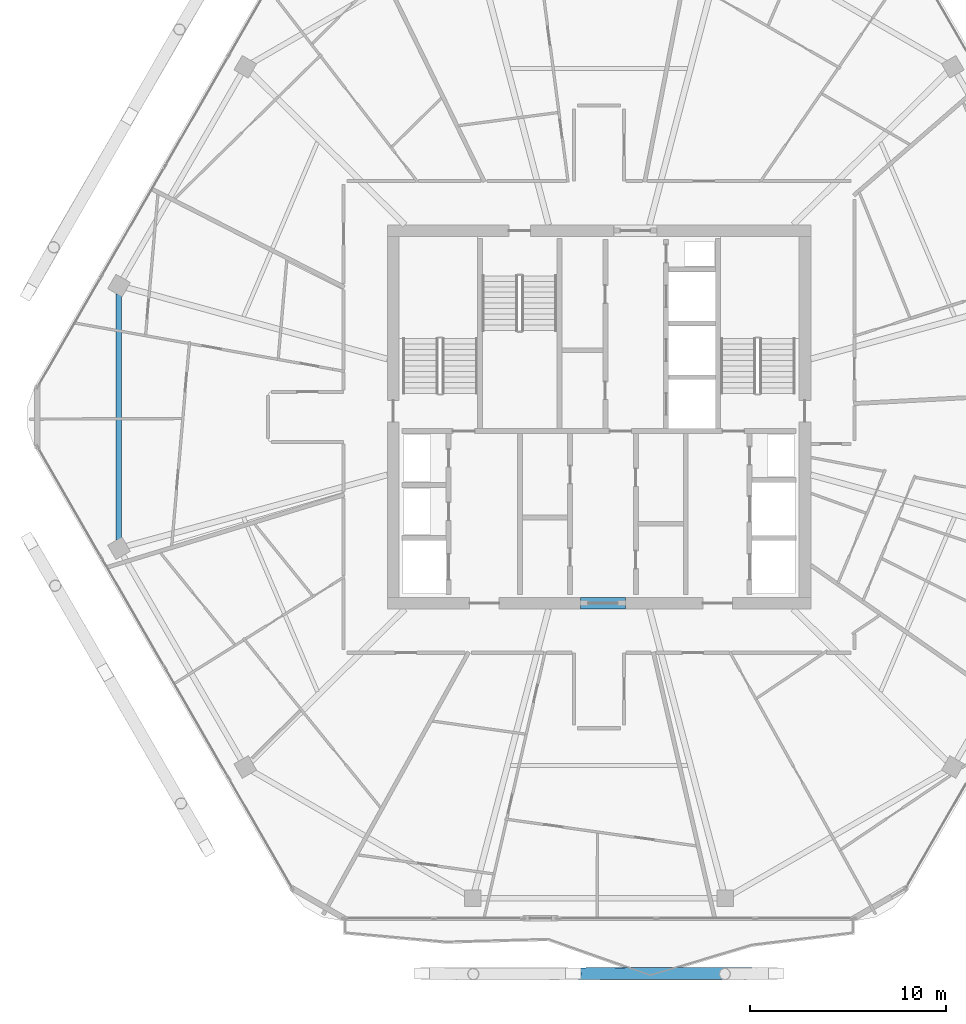
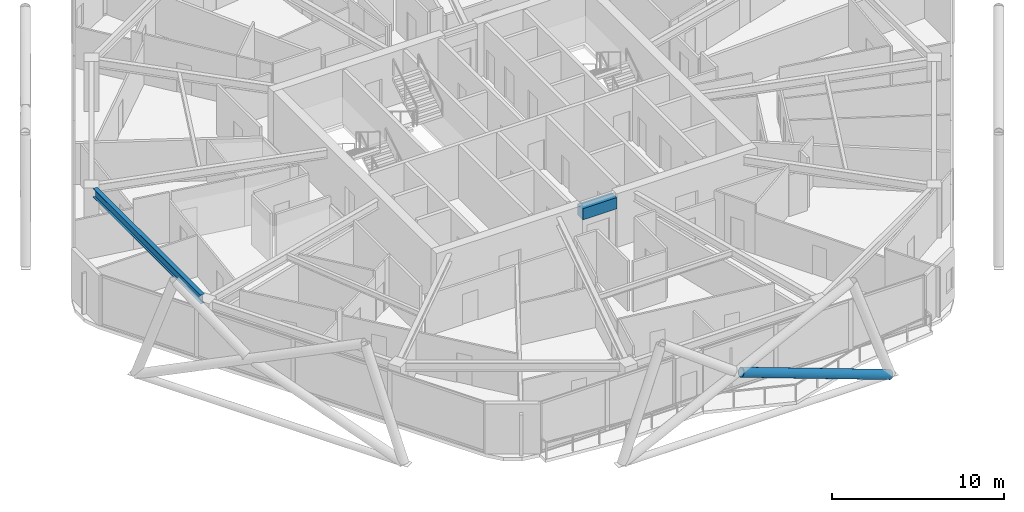
# One storey, part 7 of 27: 2 beams, 1 member.
"""IFC4 building model written with IfcOpenShell, lengths in metres."""

from ifc_helpers import new_model, si_unit, direction, frame, origin, origin_2d, place, context, subcontext, project, spatial, rectangle, hollow_circle, i_section, extrude, material, material_profile, profile_set, type_object, element, save


model = new_model("IFC4")

# Units and contexts
model_context = context("Model", 3, precision=1e-05, world=origin(), true_north=direction((0.0, 1.0)))
body_context = subcontext(model_context, "Body", "Model", "MODEL_VIEW")
ifc_project = project(units=[si_unit("LENGTHUNIT", "METRE"), si_unit("AREAUNIT", "SQUARE_METRE"), si_unit("VOLUMEUNIT", "CUBIC_METRE"), si_unit("PLANEANGLEUNIT", "RADIAN"), si_unit("MASSUNIT", "GRAM", prefix="KILO")], contexts=[model_context])

# Site, building, storey
site_placement = place(None, origin())
site = spatial("IfcSite", under=ifc_project, at=site_placement, CompositionType="ELEMENT")
building_placement = place(site_placement, origin())
building = spatial("IfcBuilding", under=site, at=building_placement, Name="Zuhravey Tower", CompositionType="ELEMENT")
storey_placement = place(building_placement, frame((0.0, 0.0, 276.800048828125)))
storey = spatial("IfcBuildingStorey", under=building, at=storey_placement, Name="L70", CompositionType="ELEMENT", Elevation=276.800048828125)

# Beam
ifc_material_1 = material(Name="Concrete C50/60", Category="concrete")
ifc_material_profile_1 = material_profile(ifc_material_1, rectangle(XDim=0.60009765625, YDim=0.800048828125, at=origin_2d()), Name="RC-600x800")
ifc_profile_set_1 = profile_set([ifc_material_profile_1], Name="Concrete C50/60")
beam_type_1 = type_object("IfcBeamType", Name="Core Coupling Beam RC600x800", PredefinedType="LINTEL", material=ifc_profile_set_1)
beam_1_placement = place(storey_placement, frame((35.052001953125, 22.5, 3.14990234375), z_axis=(1.0, 0.0, 0.0), x_axis=(0.0, 1.0, 0.0)))
element("IfcBeam", 1, at=beam_1_placement, inside=storey, type_object=beam_type_1, Name="L70 CB2 BM-L70-CB-S", PredefinedType="LINTEL", context=body_context, shape_type="SweptSolid", body=[
    extrude(rectangle(XDim=0.60009765625, YDim=0.800048828125, at=origin_2d()), origin(), (0.0, 0.0, 1.0), 2.2958984375),
])

# Member
ifc_material_2 = material(Name="Steel SM355", Category="steel")
ifc_material_profile_2 = material_profile(ifc_material_2, hollow_circle(Radius=0.3046875, WallThickness=0.028076171875, at=origin_2d()), Name="CHS-609.6x28")
ifc_profile_set_2 = profile_set([ifc_material_profile_2], Name="Steel SM355")
member_type = type_object("IfcMemberType", Name="Exoskeleton Zone 3 Diagrid CHS610x28", PredefinedType="BRACE", material=ifc_profile_set_2)
member_placement = place(storey_placement, frame((44.99072265625, 3.616455078125, -0.449951171875), z_axis=(-0.938619036847, -0.001371581642, 0.344952782903), x_axis=(0.001461274621, -0.999998932338, 0.0)))
element("IfcMember", 2, at=member_placement, inside=storey, type_object=member_type, Name="L70 Face 5 Split Diagrid Brace 3A", PredefinedType="BRACE", context=body_context, shape_type="SweptSolid", body=[
    extrude(hollow_circle(Radius=0.3046875, WallThickness=0.028076171875, at=origin_2d()), origin(), (0.0, 0.0, 1.0), 10.679931640625),
])

# Beam
ifc_material_profile_3 = material_profile(ifc_material_2, i_section(OverallWidth=0.280029296875, OverallDepth=0.6201171875, WebThickness=0.011962890625, FlangeThickness=0.02001953125, at=origin_2d()), Name="H-620x280x12x20")
ifc_profile_set_3 = profile_set([ifc_material_profile_3], Name="Steel SM355")
beam_type_2 = type_object("IfcBeamType", Name="Perimeter Ring Beam H620x280", PredefinedType="BEAM", material=ifc_profile_set_3)
beam_2_placement = place(storey_placement, frame((11.515380859375, 38.27099609375, 3.239990234375), z_axis=(0.0, -1.0, 0.0), x_axis=(1.0, 0.0, 0.0)))
element("IfcBeam", 3, at=beam_2_placement, inside=storey, type_object=beam_type_2, Name="L70 PB3 BM-L70-PB-06", PredefinedType="BEAM", context=body_context, shape_type="SweptSolid", body=[
    extrude(i_section(OverallWidth=0.280029296875, OverallDepth=0.6201171875, WebThickness=0.011962890625, FlangeThickness=0.02001953125, at=origin_2d()), origin(), (0.0, 0.0, 1.0), 12.5419921875),
])

save(model, "model.ifc")
